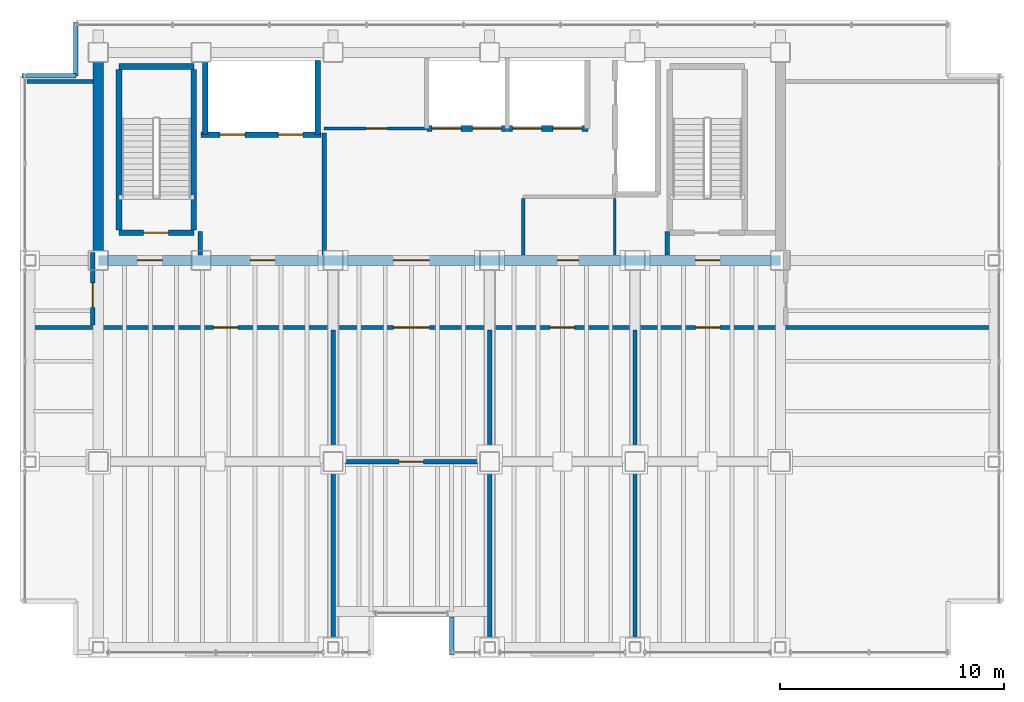
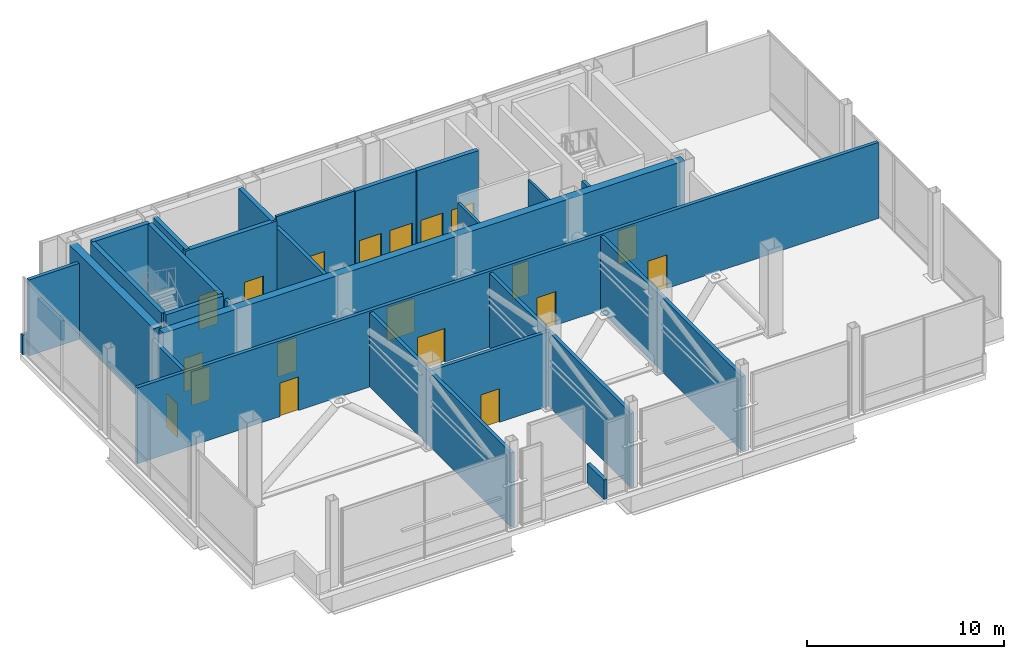
# One storey, part 16 of 18: 27 walls, 19 doors, 19 openings.
"""IFC4 building model written with IfcOpenShell, lengths in metres."""

from ifc_helpers import new_model, si_unit, direction, frame, frame_2d, origin, place, context, subcontext, project, spatial, rectangle, extrude, material, layer, layer_set, type_object, element, fill, save


model = new_model("IFC4")

# Units and contexts
model_context = context("Model", 3, precision=1e-05, world=origin(), true_north=direction((0.0, 1.0)))
body_context = subcontext(model_context, "Body", "Model", "MODEL_VIEW")
ifc_project = project(units=[si_unit("LENGTHUNIT", "METRE"), si_unit("AREAUNIT", "SQUARE_METRE"), si_unit("VOLUMEUNIT", "CUBIC_METRE"), si_unit("PLANEANGLEUNIT", "RADIAN"), si_unit("MASSUNIT", "GRAM", prefix="KILO")], contexts=[model_context])

# Site, building, storey
site_placement = place(None, origin())
site = spatial("IfcSite", under=ifc_project, at=site_placement, CompositionType="ELEMENT")
building_placement = place(site_placement, origin())
building = spatial("IfcBuilding", under=site, at=building_placement, Name="Noeulbin Bourse Tower", CompositionType="ELEMENT")
storey_placement = place(building_placement, frame((0.0, 0.0, 200.699951171875)))
storey = spatial("IfcBuildingStorey", under=building, at=storey_placement, Name="L50", CompositionType="ELEMENT", Elevation=200.699951171875)

# Wall, openings, doors
ifc_material_1 = material(Name="Concrete C50/60", Category="concrete")
ifc_layer_1 = layer(ifc_material_1, 0.449951171875)
ifc_layer_set_1 = layer_set([ifc_layer_1], Name="Concrete C50/60")
wall_type_1 = type_object("IfcWallType", Name="WAL-CORE-450", PredefinedType="SHEAR", material=ifc_layer_set_1)
wall_1_placement = place(storey_placement, frame((13.5, 29.0, 0.0), z_axis=(0.0, 0.0, 1.0), x_axis=(1.0, 0.0, 0.0)))
wall_1 = element("IfcWall", 1, at=wall_1_placement, inside=storey, type_object=wall_type_1, Name="Rear Core South Shear Wall L50", PredefinedType="SHEAR", context=body_context, shape_type="SweptSolid", body=[
    extrude(rectangle(XDim=30.5, YDim=0.449951171875, at=frame_2d((15.25, 0.0))), origin(), (0.0, 0.0, 1.0), 5.219970703125),
])
opening_1_placement = place(wall_1_placement, frame((1.75, 0.0, 0.0)))
opening_1 = element("IfcOpeningElement", 2, at=opening_1_placement, cuts=wall_1, Name="Opening FD-11", PredefinedType="OPENING", context=body_context, shape_type="SweptSolid", body=[
    extrude(rectangle(XDim=1.10009765625, YDim=2.080078125, at=frame_2d((0.550048828125, 1.0400390625))), frame((0.0, 0.23486328125, 0.0), z_axis=(0.0, -1.0, 0.0), x_axis=(1.0, 0.0, 0.0)), (0.0, 0.0, 1.0), 0.469970703125),
])
opening_2_placement = place(wall_1_placement, frame((26.699951171875, 0.0, 0.0)))
opening_2 = element("IfcOpeningElement", 3, at=opening_2_placement, cuts=wall_1, Name="Opening FD-11", PredefinedType="OPENING", context=body_context, shape_type="SweptSolid", body=[
    extrude(rectangle(XDim=1.10009765625, YDim=2.080078125, at=frame_2d((0.550048828125, 1.0400390625))), frame((0.0, 0.23486328125, 0.0), z_axis=(0.0, -1.0, 0.0), x_axis=(1.0, 0.0, 0.0)), (0.0, 0.0, 1.0), 0.469970703125),
])
opening_3_placement = place(wall_1_placement, frame((6.800048828125, 0.0, 0.0)))
opening_3 = element("IfcOpeningElement", 4, at=opening_3_placement, cuts=wall_1, Name="Opening FD-11", PredefinedType="OPENING", context=body_context, shape_type="SweptSolid", body=[
    extrude(rectangle(XDim=1.10009765625, YDim=2.080078125, at=frame_2d((0.550048828125, 1.0400390625))), frame((0.0, 0.23486328125, 0.0), z_axis=(0.0, -1.0, 0.0), x_axis=(1.0, 0.0, 0.0)), (0.0, 0.0, 1.0), 0.469970703125),
])
opening_4_placement = place(wall_1_placement, frame((13.199951171875, 0.0, 0.0)))
opening_4 = element("IfcOpeningElement", 5, at=opening_4_placement, cuts=wall_1, Name="Opening ID-16", PredefinedType="OPENING", context=body_context, shape_type="SweptSolid", body=[
    extrude(rectangle(XDim=1.60009765625, YDim=2.080078125, at=frame_2d((0.800048828125, 1.0400390625))), frame((0.0, 0.23486328125, 0.0), z_axis=(0.0, -1.0, 0.0), x_axis=(1.0, 0.0, 0.0)), (0.0, 0.0, 1.0), 0.469970703125),
])
opening_5_placement = place(wall_1_placement, frame((20.52490234375, 0.0, 0.0)))
opening_5 = element("IfcOpeningElement", 6, at=opening_5_placement, cuts=wall_1, Name="Opening ID-09", PredefinedType="OPENING", context=body_context, shape_type="SweptSolid", body=[
    extrude(rectangle(XDim=0.949951171875, YDim=2.080078125, at=frame_2d((0.47509765625, 1.0400390625))), frame((0.0, 0.23486328125, 0.0), z_axis=(0.0, -1.0, 0.0), x_axis=(1.0, 0.0, 0.0)), (0.0, 0.0, 1.0), 0.469970703125),
])
ifc_material_2 = material(Name="Acoustic Glazed Aluminium", Category="aluminium")
door_type_1 = type_object("IfcDoorType", Name="DR-DBL-1600", OperationType="DOUBLE_DOOR_SINGLE_SWING", PredefinedType="DOOR", material=ifc_material_2)
door_1_placement = place(opening_4_placement, origin())
door_1 = element("IfcDoor", 7, at=door_1_placement, inside=storey, type_object=door_type_1, Name="Passenger Lift Lobby Portal L50", OperationType="DOUBLE_DOOR_SINGLE_SWING", OverallHeight=2.080078125, OverallWidth=1.60009765625, PredefinedType="DOOR", context=body_context, shape_type="SweptSolid", body=[
    extrude(rectangle(XDim=1.60009765625, YDim=2.080078125, at=frame_2d((0.800048828125, 1.0400390625))), frame((0.0, 0.02490234375, 0.0), z_axis=(0.0, -1.0, 0.0), x_axis=(1.0, 0.0, 0.0)), (0.0, 0.0, 1.0), 0.050048828125),
])
fill(opening_4, door_1)
ifc_material_3 = material(Name="Fire-Rated Insulated Steel", Category="steel")
door_type_2 = type_object("IfcDoorType", Name="DR-FD60-1100", OperationType="SINGLE_SWING_LEFT", PredefinedType="DOOR", material=ifc_material_3)
door_2_placement = place(opening_1_placement, origin())
door_2 = element("IfcDoor", 8, at=door_2_placement, inside=storey, type_object=door_type_2, Name="West Stair Lobby Door L50", OperationType="SINGLE_SWING_LEFT", OverallHeight=2.080078125, OverallWidth=1.10009765625, PredefinedType="DOOR", context=body_context, shape_type="SweptSolid", body=[
    extrude(rectangle(XDim=1.10009765625, YDim=2.080078125, at=frame_2d((0.550048828125, 1.0400390625))), frame((0.0, 0.02490234375, 0.0), z_axis=(0.0, -1.0, 0.0), x_axis=(1.0, 0.0, 0.0)), (0.0, 0.0, 1.0), 0.050048828125),
])
fill(opening_1, door_2)
door_3_placement = place(opening_2_placement, origin())
door_3 = element("IfcDoor", 9, at=door_3_placement, inside=storey, type_object=door_type_2, Name="East Stair Lobby Door L50", OperationType="SINGLE_SWING_RIGHT", OverallHeight=2.080078125, OverallWidth=1.10009765625, PredefinedType="DOOR", context=body_context, shape_type="SweptSolid", body=[
    extrude(rectangle(XDim=1.10009765625, YDim=2.080078125, at=frame_2d((0.550048828125, 1.0400390625))), frame((0.0, 0.02490234375, 0.0), z_axis=(0.0, -1.0, 0.0), x_axis=(1.0, 0.0, 0.0)), (0.0, 0.0, 1.0), 0.050048828125),
])
fill(opening_2, door_3)
door_4_placement = place(opening_3_placement, origin())
door_4 = element("IfcDoor", 10, at=door_4_placement, inside=storey, type_object=door_type_2, Name="Firefighting Lobby Door L50", OperationType="SINGLE_SWING_LEFT", OverallHeight=2.080078125, OverallWidth=1.10009765625, PredefinedType="DOOR", context=body_context, shape_type="SweptSolid", body=[
    extrude(rectangle(XDim=1.10009765625, YDim=2.080078125, at=frame_2d((0.550048828125, 1.0400390625))), frame((0.0, 0.02490234375, 0.0), z_axis=(0.0, -1.0, 0.0), x_axis=(1.0, 0.0, 0.0)), (0.0, 0.0, 1.0), 0.050048828125),
])
fill(opening_3, door_4)
ifc_material_4 = material(Name="Acoustic Solid-Core Timber", Category="wood")
door_type_3 = type_object("IfcDoorType", Name="DR-SINGLE-950", OperationType="SINGLE_SWING_LEFT", PredefinedType="DOOR", material=ifc_material_4)
door_5_placement = place(opening_5_placement, origin())
door_5 = element("IfcDoor", 11, at=door_5_placement, inside=storey, type_object=door_type_3, Name="Interior Door L50-06", OperationType="SINGLE_SWING_RIGHT", OverallHeight=2.080078125, OverallWidth=0.949951171875, PredefinedType="DOOR", context=body_context, shape_type="SweptSolid", body=[
    extrude(rectangle(XDim=0.949951171875, YDim=2.080078125, at=frame_2d((0.47509765625, 1.0400390625))), frame((0.0, 0.02490234375, 0.0), z_axis=(0.0, -1.0, 0.0), x_axis=(1.0, 0.0, 0.0)), (0.0, 0.0, 1.0), 0.050048828125),
])
fill(opening_5, door_5)

# Wall
wall_2_placement = place(storey_placement, frame((13.5, 29.35009765625, 0.0), z_axis=(0.0, 0.0, 1.0), x_axis=(0.0, 1.0, 0.0)))
element("IfcWall", 12, at=wall_2_placement, inside=storey, type_object=wall_type_1, Name="Rear Core West Shear Wall L50", PredefinedType="SHEAR", context=body_context, shape_type="SweptSolid", body=[
    extrude(rectangle(XDim=8.599853515625, YDim=0.449951171875, at=frame_2d((4.2998046875, 0.0))), origin(), (0.0, 0.0, 1.0), 5.219970703125),
])

# Wall, openings, doors
ifc_material_5 = material(Name="Concrete C40/50", Category="concrete")
ifc_layer_2 = layer(ifc_material_5, 0.199951171875)
ifc_layer_set_2 = layer_set([ifc_layer_2], Name="Concrete C40/50")
wall_type_2 = type_object("IfcWallType", Name="WAL-FIRE-200", PredefinedType="STANDARD", material=ifc_layer_set_2)
wall_3_placement = place(storey_placement, frame((10.31005859375, 26.0, 0.0), z_axis=(0.0, 0.0, 1.0), x_axis=(1.0, 0.0, 0.0)))
wall_3 = element("IfcWall", 13, at=wall_3_placement, inside=storey, type_object=wall_type_2, Name="Interior Partition Wall L50-04", PredefinedType="STANDARD", context=body_context, shape_type="SweptSolid", body=[
    extrude(rectangle(XDim=43.3798828125, YDim=0.199951171875, at=frame_2d((21.68994140625, 0.0))), origin(), (0.0, 0.0, 1.0), 4.699951171875),
])
opening_6_placement = place(wall_3_placement, frame((8.340087890625, 0.0, 0.0)))
opening_6 = element("IfcOpeningElement", 14, at=opening_6_placement, cuts=wall_3, Name="Opening FD-11", PredefinedType="OPENING", context=body_context, shape_type="SweptSolid", body=[
    extrude(rectangle(XDim=1.10009765625, YDim=2.080078125, at=frame_2d((0.550048828125, 1.0400390625))), frame((0.0, 0.10986328125, 0.0), z_axis=(0.0, -1.0, 0.0), x_axis=(1.0, 0.0, 0.0)), (0.0, 0.0, 1.0), 0.219970703125),
])
opening_7_placement = place(wall_3_placement, frame((16.389892578125, 0.0, 0.0)))
opening_7 = element("IfcOpeningElement", 15, at=opening_7_placement, cuts=wall_3, Name="Opening ID-16", PredefinedType="OPENING", context=body_context, shape_type="SweptSolid", body=[
    extrude(rectangle(XDim=1.60009765625, YDim=2.080078125, at=frame_2d((0.800048828125, 1.0400390625))), frame((0.0, 0.10986328125, 0.0), z_axis=(0.0, -1.0, 0.0), x_axis=(1.0, 0.0, 0.0)), (0.0, 0.0, 1.0), 0.219970703125),
])
opening_8_placement = place(wall_3_placement, frame((23.389892578125, 0.0, 0.0)))
opening_8 = element("IfcOpeningElement", 16, at=opening_8_placement, cuts=wall_3, Name="Opening FD-11", PredefinedType="OPENING", context=body_context, shape_type="SweptSolid", body=[
    extrude(rectangle(XDim=1.10009765625, YDim=2.080078125, at=frame_2d((0.550048828125, 1.0400390625))), frame((0.0, 0.10986328125, 0.0), z_axis=(0.0, -1.0, 0.0), x_axis=(1.0, 0.0, 0.0)), (0.0, 0.0, 1.0), 0.219970703125),
])
opening_9_placement = place(wall_3_placement, frame((29.889892578125, 0.0, 0.0)))
opening_9 = element("IfcOpeningElement", 17, at=opening_9_placement, cuts=wall_3, Name="Opening FD-11", PredefinedType="OPENING", context=body_context, shape_type="SweptSolid", body=[
    extrude(rectangle(XDim=1.10009765625, YDim=2.080078125, at=frame_2d((0.550048828125, 1.0400390625))), frame((0.0, 0.10986328125, 0.0), z_axis=(0.0, -1.0, 0.0), x_axis=(1.0, 0.0, 0.0)), (0.0, 0.0, 1.0), 0.219970703125),
])
door_6_placement = place(opening_7_placement, origin())
door_6 = element("IfcDoor", 18, at=door_6_placement, inside=storey, type_object=door_type_1, Name="Interior Door L50-10", OperationType="DOUBLE_DOOR_SINGLE_SWING", OverallHeight=2.080078125, OverallWidth=1.60009765625, PredefinedType="DOOR", context=body_context, shape_type="SweptSolid", body=[
    extrude(rectangle(XDim=1.60009765625, YDim=2.080078125, at=frame_2d((0.800048828125, 1.0400390625))), frame((0.0, 0.02490234375, 0.0), z_axis=(0.0, -1.0, 0.0), x_axis=(1.0, 0.0, 0.0)), (0.0, 0.0, 1.0), 0.050048828125),
])
fill(opening_7, door_6)
door_7_placement = place(opening_6_placement, origin())
door_7 = element("IfcDoor", 19, at=door_7_placement, inside=storey, type_object=door_type_2, Name="Interior Door L50-09", OperationType="SINGLE_SWING_LEFT", OverallHeight=2.080078125, OverallWidth=1.10009765625, PredefinedType="DOOR", context=body_context, shape_type="SweptSolid", body=[
    extrude(rectangle(XDim=1.10009765625, YDim=2.080078125, at=frame_2d((0.550048828125, 1.0400390625))), frame((0.0, 0.02490234375, 0.0), z_axis=(0.0, -1.0, 0.0), x_axis=(1.0, 0.0, 0.0)), (0.0, 0.0, 1.0), 0.050048828125),
])
fill(opening_6, door_7)
door_8_placement = place(opening_8_placement, origin())
door_8 = element("IfcDoor", 20, at=door_8_placement, inside=storey, type_object=door_type_2, Name="Interior Door L50-11", OperationType="SINGLE_SWING_LEFT", OverallHeight=2.080078125, OverallWidth=1.10009765625, PredefinedType="DOOR", context=body_context, shape_type="SweptSolid", body=[
    extrude(rectangle(XDim=1.10009765625, YDim=2.080078125, at=frame_2d((0.550048828125, 1.0400390625))), frame((0.0, 0.02490234375, 0.0), z_axis=(0.0, -1.0, 0.0), x_axis=(1.0, 0.0, 0.0)), (0.0, 0.0, 1.0), 0.050048828125),
])
fill(opening_8, door_8)
door_9_placement = place(opening_9_placement, origin())
door_9 = element("IfcDoor", 21, at=door_9_placement, inside=storey, type_object=door_type_2, Name="Interior Door L50-12", OperationType="SINGLE_SWING_RIGHT", OverallHeight=2.080078125, OverallWidth=1.10009765625, PredefinedType="DOOR", context=body_context, shape_type="SweptSolid", body=[
    extrude(rectangle(XDim=1.10009765625, YDim=2.080078125, at=frame_2d((0.550048828125, 1.0400390625))), frame((0.0, 0.02490234375, 0.0), z_axis=(0.0, -1.0, 0.0), x_axis=(1.0, 0.0, 0.0)), (0.0, 0.0, 1.0), 0.050048828125),
])
fill(opening_9, door_9)

# Wall
wall_4_placement = place(storey_placement, frame((10.31005859375, 37.0, 0.0), z_axis=(0.0, 0.0, 1.0), x_axis=(1.0, 0.0, 0.0)))
element("IfcWall", 22, at=wall_4_placement, inside=storey, type_object=wall_type_2, Name="Interior Partition Wall L50-05", PredefinedType="STANDARD", context=body_context, shape_type="SweptSolid", body=[
    extrude(rectangle(XDim=2.954833984375, YDim=0.199951171875, at=frame_2d((1.4775390625, 0.0))), origin(), (0.0, 0.0, 1.0), 4.699951171875),
])

# Wall, opening, door
wall_5_placement = place(storey_placement, frame((24.0, 20.0, 0.0), z_axis=(0.0, 0.0, 1.0), x_axis=(1.0, 0.0, 0.0)))
wall_5 = element("IfcWall", 23, at=wall_5_placement, inside=storey, type_object=wall_type_2, Name="Interior Partition Wall L50-07", PredefinedType="STANDARD", context=body_context, shape_type="SweptSolid", body=[
    extrude(rectangle(XDim=7.0, YDim=0.199951171875, at=frame_2d((3.5, 0.0))), origin(), (0.0, 0.0, 1.0), 4.60009765625),
])
opening_10_placement = place(wall_5_placement, frame((2.949951171875, 0.0, 0.0)))
opening_10 = element("IfcOpeningElement", 24, at=opening_10_placement, cuts=wall_5, Name="Opening FD-11", PredefinedType="OPENING", context=body_context, shape_type="SweptSolid", body=[
    extrude(rectangle(XDim=1.10009765625, YDim=2.080078125, at=frame_2d((0.550048828125, 1.0400390625))), frame((0.0, 0.10986328125, 0.0), z_axis=(0.0, -1.0, 0.0), x_axis=(1.0, 0.0, 0.0)), (0.0, 0.0, 1.0), 0.219970703125),
])
door_10_placement = place(opening_10_placement, origin())
door_10 = element("IfcDoor", 25, at=door_10_placement, inside=storey, type_object=door_type_2, Name="Interior Door L50-13", OperationType="SINGLE_SWING_LEFT", OverallHeight=2.080078125, OverallWidth=1.10009765625, PredefinedType="DOOR", context=body_context, shape_type="SweptSolid", body=[
    extrude(rectangle(XDim=1.10009765625, YDim=2.080078125, at=frame_2d((0.550048828125, 1.0400390625))), frame((0.0, 0.02490234375, 0.0), z_axis=(0.0, -1.0, 0.0), x_axis=(1.0, 0.0, 0.0)), (0.0, 0.0, 1.0), 0.050048828125),
])
fill(opening_10, door_10)

# Walls
for number, where, z_axis, x_axis, name in (
    (26, (18.050048828125, 29.235107421875, 0.0), (0.0, 0.0, 1.0), (0.0, 1.0, 0.0), "Interior Partition Wall L50-08"),
    (27, (38.949951171875, 29.235107421875, 0.0), (0.0, 0.0, 1.0), (0.0, 1.0, 0.0), "Interior Partition Wall L50-09"),
):
    element("IfcWall", number, at=place(storey_placement, frame(where, z_axis=z_axis, x_axis=x_axis)), inside=storey, type_object=wall_type_2, Name=name, PredefinedType="STANDARD", context=body_context, shape_type="SweptSolid", body=[
        extrude(rectangle(XDim=1.06494140625, YDim=0.199951171875, at=frame_2d((0.532470703125, 0.0))), origin(), (0.0, 0.0, 1.0), 4.85009765625),
    ])
wall_6_placement = place(storey_placement, frame((23.60009765625, 29.235107421875, 0.0), z_axis=(0.0, 0.0, 1.0), x_axis=(0.0, 1.0, 0.0)))
element("IfcWall", 28, at=wall_6_placement, inside=storey, type_object=wall_type_2, Name="Interior Partition Wall L50-10", PredefinedType="STANDARD", context=body_context, shape_type="SweptSolid", body=[
    extrude(rectangle(XDim=5.46484375, YDim=0.199951171875, at=frame_2d((2.732421875, 0.0))), origin(), (0.0, 0.0, 1.0), 4.699951171875),
])

# Wall, opening, door
wall_7_placement = place(storey_placement, frame((13.25, 26.110107421875, 0.0), z_axis=(0.0, 0.0, 1.0), x_axis=(0.0, 1.0, 0.0)))
wall_7 = element("IfcWall", 29, at=wall_7_placement, inside=storey, type_object=wall_type_2, Name="Interior Partition Wall L50-13", PredefinedType="STANDARD", context=body_context, shape_type="SweptSolid", body=[
    extrude(rectangle(XDim=3.239990234375, YDim=0.199951171875, at=frame_2d((1.6201171875, 0.0))), origin(), (0.0, 0.0, 1.0), 4.60009765625),
])
opening_11_placement = place(wall_7_placement, frame((0.7900390625, 0.0, 0.0)))
opening_11 = element("IfcOpeningElement", 30, at=opening_11_placement, cuts=wall_7, Name="Opening FD-11", PredefinedType="OPENING", context=body_context, shape_type="SweptSolid", body=[
    extrude(rectangle(XDim=1.10009765625, YDim=2.080078125, at=frame_2d((0.550048828125, 1.0400390625))), frame((0.0, 0.10986328125, 0.0), z_axis=(0.0, -1.0, 0.0), x_axis=(1.0, 0.0, 0.0)), (0.0, 0.0, 1.0), 0.219970703125),
])
door_11_placement = place(opening_11_placement, origin())
door_11 = element("IfcDoor", 31, at=door_11_placement, inside=storey, type_object=door_type_2, Name="Interior Door L50-07", OperationType="SINGLE_SWING_LEFT", OverallHeight=2.080078125, OverallWidth=1.10009765625, PredefinedType="DOOR", context=body_context, shape_type="SweptSolid", body=[
    extrude(rectangle(XDim=1.10009765625, YDim=2.080078125, at=frame_2d((0.550048828125, 1.0400390625))), frame((0.0, 0.02490234375, 0.0), z_axis=(0.0, -1.0, 0.0), x_axis=(1.0, 0.0, 0.0)), (0.0, 0.0, 1.0), 0.050048828125),
])
fill(opening_11, door_11)

# Walls
for number, where, z_axis, x_axis, name in (
    (32, (24.0, 11.56005859375, 0.0), (0.0, 0.0, 1.0), (0.0, 1.0, 0.0), "Interior Partition Wall L50-15"),
    (33, (31.0, 11.56005859375, 0.0), (0.0, 0.0, 1.0), (0.0, 1.0, 0.0), "Interior Partition Wall L50-16"),
    (34, (37.5, 11.56005859375, 0.0), (0.0, 0.0, 1.0), (0.0, 1.0, 0.0), "Interior Partition Wall L50-17"),
):
    element("IfcWall", number, at=place(storey_placement, frame(where, z_axis=z_axis, x_axis=x_axis)), inside=storey, type_object=wall_type_2, Name=name, PredefinedType="STANDARD", context=body_context, shape_type="SweptSolid", body=[
        extrude(rectangle(XDim=14.329833984375, YDim=0.199951171875, at=frame_2d((7.1650390625, 0.0))), origin(), (0.0, 0.0, 1.0), 4.60009765625),
    ])
ifc_layer_3 = layer(ifc_material_5, 0.199951171875)
ifc_layer_set_3 = layer_set([ifc_layer_3], Name="Concrete C40/50")
wall_type_3 = type_object("IfcWallType", Name="WAL-PAR-200", PredefinedType="PARAPET", material=ifc_layer_set_3)
for number, where, z_axis, x_axis, name in (
    (35, (10.10009765625, 37.25, 0.0), (0.0, 0.0, 1.0), (1.0, 0.0, 0.0), "Corner Notch Parapet L50-NW1"),
    (36, (12.5, 37.25, 0.0), (0.0, 0.0, 1.0), (0.0, 1.0, 0.0), "Corner Notch Parapet L50-NW2"),
):
    element("IfcWall", number, at=place(storey_placement, frame(where, z_axis=z_axis, x_axis=x_axis)), inside=storey, type_object=wall_type_3, Name=name, PredefinedType="PARAPET", context=body_context, shape_type="SweptSolid", body=[
        extrude(rectangle(XDim=2.39990234375, YDim=0.199951171875, at=frame_2d((1.199951171875, 0.0))), origin(), (0.0, 0.0, 1.0), 1.199951171875),
    ])
wall_8_placement = place(storey_placement, frame((29.300048828125, 13.050048828125, 0.0), z_axis=(0.0, 0.0, 1.0), x_axis=(0.0, -1.0, 0.0)))
element("IfcWall", 37, at=wall_8_placement, inside=storey, type_object=wall_type_3, Name="Sky-Garden Recess Parapet L50-E", PredefinedType="PARAPET", context=body_context, shape_type="SweptSolid", body=[
    extrude(rectangle(XDim=1.699951171875, YDim=0.199951171875, at=frame_2d((0.85009765625, 0.0))), origin(), (0.0, 0.0, 1.0), 1.199951171875),
])
ifc_material_6 = material(Name="Steel Stud Gypsum Partition", Category="steel")
ifc_layer_4 = layer(ifc_material_6, 0.1201171875)
ifc_layer_set_4 = layer_set([ifc_layer_4], Name="Steel Stud Gypsum Partition")
wall_type_4 = type_object("IfcWallType", Name="WAL-PRT-120", PredefinedType="PARTITIONING", material=ifc_layer_set_4)
wall_9_placement = place(storey_placement, frame((36.60009765625, 29.235107421875, 0.0), z_axis=(0.0, 0.0, 1.0), x_axis=(0.0, 1.0, 0.0)))
element("IfcWall", 38, at=wall_9_placement, inside=storey, type_object=wall_type_4, Name="Interior Partition Wall L50-12", PredefinedType="PARTITIONING", context=body_context, shape_type="SweptSolid", body=[
    extrude(rectangle(XDim=2.52978515625, YDim=0.1201171875, at=frame_2d((1.264892578125, 0.0))), origin(), (0.0, 0.0, 1.0), 4.85009765625),
])

# Wall, opening, door
ifc_material_7 = material(Name="Steel Stud Acoustic Gypsum Board", Category="steel")
ifc_layer_5 = layer(ifc_material_7, 0.14990234375)
ifc_layer_set_5 = layer_set([ifc_layer_5], Name="Steel Stud Acoustic Gypsum Board")
wall_type_5 = type_object("IfcWallType", Name="WAL-PRT-150", PredefinedType="PARTITIONING", material=ifc_layer_set_5)
wall_10_placement = place(storey_placement, frame((23.60009765625, 34.89990234375, 0.0), z_axis=(0.0, 0.0, 1.0), x_axis=(1.0, 0.0, 0.0)))
wall_10 = element("IfcWall", 39, at=wall_10_placement, inside=storey, type_object=wall_type_5, Name="Interior Partition Wall L50-02", PredefinedType="PARTITIONING", context=body_context, shape_type="SweptSolid", body=[
    extrude(rectangle(XDim=4.579833984375, YDim=0.14990234375, at=frame_2d((2.2900390625, 0.0))), origin(), (0.0, 0.0, 1.0), 5.219970703125),
])
opening_12_placement = place(wall_10_placement, frame((1.875, 0.0, 0.0)))
opening_12 = element("IfcOpeningElement", 40, at=opening_12_placement, cuts=wall_10, Name="Opening ID-09", PredefinedType="OPENING", context=body_context, shape_type="SweptSolid", body=[
    extrude(rectangle(XDim=0.949951171875, YDim=2.080078125, at=frame_2d((0.47509765625, 1.0400390625))), frame((0.0, 0.0849609375, 0.0), z_axis=(0.0, -1.0, 0.0), x_axis=(1.0, 0.0, 0.0)), (0.0, 0.0, 1.0), 0.169921875),
])
door_12_placement = place(opening_12_placement, origin())
door_12 = element("IfcDoor", 41, at=door_12_placement, inside=storey, type_object=door_type_3, Name="Archive Room Door L50", OperationType="SINGLE_SWING_LEFT", OverallHeight=2.080078125, OverallWidth=0.949951171875, PredefinedType="DOOR", context=body_context, shape_type="SweptSolid", body=[
    extrude(rectangle(XDim=0.949951171875, YDim=2.080078125, at=frame_2d((0.47509765625, 1.0400390625))), frame((0.0, 0.02490234375, 0.0), z_axis=(0.0, -1.0, 0.0), x_axis=(1.0, 0.0, 0.0)), (0.0, 0.0, 1.0), 0.050048828125),
])
fill(opening_12, door_12)

# Wall
wall_11_placement = place(storey_placement, frame((32.5, 29.235107421875, 0.0), z_axis=(0.0, 0.0, 1.0), x_axis=(0.0, 1.0, 0.0)))
element("IfcWall", 42, at=wall_11_placement, inside=storey, type_object=wall_type_5, Name="Interior Partition Wall L50-11", PredefinedType="PARTITIONING", context=body_context, shape_type="SweptSolid", body=[
    extrude(rectangle(XDim=2.52978515625, YDim=0.14990234375, at=frame_2d((1.264892578125, 0.0))), origin(), (0.0, 0.0, 1.0), 4.85009765625),
])

# Wall, opening, door
ifc_layer_6 = layer(ifc_material_5, 0.25)
ifc_layer_set_6 = layer_set([ifc_layer_6], Name="Concrete C40/50")
wall_type_6 = type_object("IfcWallType", Name="WAL-SHFT-250", PredefinedType="STANDARD", material=ifc_layer_set_6)
wall_12_placement = place(storey_placement, frame((14.429931640625, 30.235107421875, 0.0), z_axis=(0.0, 0.0, 1.0), x_axis=(1.0, 0.0, 0.0)))
wall_12 = element("IfcWall", 43, at=wall_12_placement, inside=storey, type_object=wall_type_6, Name="Stair ST-1 South Shaft Wall L50", PredefinedType="STANDARD", context=body_context, shape_type="SweptSolid", body=[
    extrude(rectangle(XDim=3.340087890625, YDim=0.25, at=frame_2d((1.669921875, 0.0))), origin(), (0.0, 0.0, 1.0), 5.219970703125),
])
opening_13_placement = place(wall_12_placement, frame((1.10009765625, 0.0, 0.0)))
opening_13 = element("IfcOpeningElement", 44, at=opening_13_placement, cuts=wall_12, Name="Opening FD-11", PredefinedType="OPENING", context=body_context, shape_type="SweptSolid", body=[
    extrude(rectangle(XDim=1.10009765625, YDim=2.080078125, at=frame_2d((0.550048828125, 1.0400390625))), frame((0.0, 0.135009765625, 0.0), z_axis=(0.0, -1.0, 0.0), x_axis=(1.0, 0.0, 0.0)), (0.0, 0.0, 1.0), 0.27001953125),
])
door_13_placement = place(opening_13_placement, origin())
door_13 = element("IfcDoor", 45, at=door_13_placement, inside=storey, type_object=door_type_2, Name="Protected Stair Entry Door ST1-L50", OperationType="SINGLE_SWING_LEFT", OverallHeight=2.080078125, OverallWidth=1.10009765625, PredefinedType="DOOR", context=body_context, shape_type="SweptSolid", body=[
    extrude(rectangle(XDim=1.10009765625, YDim=2.080078125, at=frame_2d((0.550048828125, 1.0400390625))), frame((0.0, 0.02490234375, 0.0), z_axis=(0.0, -1.0, 0.0), x_axis=(1.0, 0.0, 0.0)), (0.0, 0.0, 1.0), 0.050048828125),
])
fill(opening_13, door_13)

# Walls
wall_13_placement = place(storey_placement, frame((14.429931640625, 37.6689453125, 0.0), z_axis=(0.0, 0.0, 1.0), x_axis=(1.0, 0.0, 0.0)))
element("IfcWall", 46, at=wall_13_placement, inside=storey, type_object=wall_type_6, Name="Stair ST-1 North Shaft Wall L50", PredefinedType="STANDARD", context=body_context, shape_type="SweptSolid", body=[
    extrude(rectangle(XDim=3.340087890625, YDim=0.25, at=frame_2d((1.669921875, 0.0))), origin(), (0.0, 0.0, 1.0), 5.219970703125),
])
for number, where, z_axis, x_axis, name in (
    (47, (14.425048828125, 30.360107421875, 0.0), (0.0, 0.0, 1.0), (0.0, 1.0, 0.0), "Stair ST-1 West Shaft Wall L50"),
    (48, (17.77490234375, 30.360107421875, 0.0), (0.0, 0.0, 1.0), (0.0, 1.0, 0.0), "Stair ST-1 East Shaft Wall L50"),
):
    element("IfcWall", number, at=place(storey_placement, frame(where, z_axis=z_axis, x_axis=x_axis)), inside=storey, type_object=wall_type_6, Name=name, PredefinedType="STANDARD", context=body_context, shape_type="SweptSolid", body=[
        extrude(rectangle(XDim=7.183837890625, YDim=0.25, at=frame_2d((3.591796875, 0.0))), origin(), (0.0, 0.0, 1.0), 5.219970703125),
    ])

# Wall, openings, doors
wall_14_placement = place(storey_placement, frame((18.10009765625, 34.6201171875, 0.0), z_axis=(0.0, 0.0, 1.0), x_axis=(1.0, 0.0, 0.0)))
wall_14 = element("IfcWall", 49, at=wall_14_placement, inside=storey, type_object=wall_type_6, Name="Firefighting Lift Shaft Front L50", PredefinedType="STANDARD", context=body_context, shape_type="SweptSolid", body=[
    extrude(rectangle(XDim=5.349853515625, YDim=0.25, at=frame_2d((2.6748046875, 0.0))), origin(), (0.0, 0.0, 1.0), 5.219970703125),
])
opening_14_placement = place(wall_14_placement, frame((0.85009765625, 0.0, 0.0)))
opening_14 = element("IfcOpeningElement", 50, at=opening_14_placement, cuts=wall_14, Name="Opening LD-11", PredefinedType="OPENING", context=body_context, shape_type="SweptSolid", body=[
    extrude(rectangle(XDim=1.10009765625, YDim=2.080078125, at=frame_2d((0.550048828125, 1.0400390625))), frame((0.0, 0.135009765625, 0.0), z_axis=(0.0, -1.0, 0.0), x_axis=(1.0, 0.0, 0.0)), (0.0, 0.0, 1.0), 0.27001953125),
])
opening_15_placement = place(wall_14_placement, frame((3.449951171875, 0.0, 0.0)))
opening_15 = element("IfcOpeningElement", 51, at=opening_15_placement, cuts=wall_14, Name="Opening LD-11", PredefinedType="OPENING", context=body_context, shape_type="SweptSolid", body=[
    extrude(rectangle(XDim=1.10009765625, YDim=2.080078125, at=frame_2d((0.550048828125, 1.0400390625))), frame((0.0, 0.135009765625, 0.0), z_axis=(0.0, -1.0, 0.0), x_axis=(1.0, 0.0, 0.0)), (0.0, 0.0, 1.0), 0.27001953125),
])
ifc_material_8 = material(Name="Brushed Stainless Steel 316", Category="steel")
door_type_4 = type_object("IfcDoorType", Name="DR-LIFT-1100", OperationType="SLIDING_TO_LEFT", PredefinedType="DOOR", material=ifc_material_8)
door_14_placement = place(opening_14_placement, origin())
door_14 = element("IfcDoor", 52, at=door_14_placement, inside=storey, type_object=door_type_4, Name="Lift Landing Door LD-FL-01-L50", OperationType="SLIDING_TO_LEFT", OverallHeight=2.080078125, OverallWidth=1.10009765625, PredefinedType="DOOR", context=body_context, shape_type="SweptSolid", body=[
    extrude(rectangle(XDim=1.10009765625, YDim=2.080078125, at=frame_2d((0.550048828125, 1.0400390625))), frame((0.0, 0.02490234375, 0.0), z_axis=(0.0, -1.0, 0.0), x_axis=(1.0, 0.0, 0.0)), (0.0, 0.0, 1.0), 0.050048828125),
])
fill(opening_14, door_14)
door_15_placement = place(opening_15_placement, origin())
door_15 = element("IfcDoor", 53, at=door_15_placement, inside=storey, type_object=door_type_4, Name="Lift Landing Door LD-FL-02-L50", OperationType="SLIDING_TO_LEFT", OverallHeight=2.080078125, OverallWidth=1.10009765625, PredefinedType="DOOR", context=body_context, shape_type="SweptSolid", body=[
    extrude(rectangle(XDim=1.10009765625, YDim=2.080078125, at=frame_2d((0.550048828125, 1.0400390625))), frame((0.0, 0.02490234375, 0.0), z_axis=(0.0, -1.0, 0.0), x_axis=(1.0, 0.0, 0.0)), (0.0, 0.0, 1.0), 0.050048828125),
])
fill(opening_15, door_15)

# Walls
for number, where, z_axis, x_axis, name in (
    (54, (18.280029296875, 34.6201171875, 0.0), (0.0, 0.0, 1.0), (0.0, 1.0, 0.0), "Firefighting Lift West Shaft Wall L50"),
    (55, (23.320068359375, 34.6201171875, 0.0), (0.0, 0.0, 1.0), (0.0, 1.0, 0.0), "Firefighting Lift East Shaft Wall L50"),
):
    element("IfcWall", number, at=place(storey_placement, frame(where, z_axis=z_axis, x_axis=x_axis)), inside=storey, type_object=wall_type_6, Name=name, PredefinedType="STANDARD", context=body_context, shape_type="SweptSolid", body=[
        extrude(rectangle(XDim=3.329833984375, YDim=0.25, at=frame_2d((1.6650390625, 0.0))), origin(), (0.0, 0.0, 1.0), 5.219970703125),
    ])

# Wall, openings, doors
wall_15_placement = place(storey_placement, frame((28.199951171875, 34.89990234375, 0.0), z_axis=(0.0, 0.0, 1.0), x_axis=(1.0, 0.0, 0.0)))
wall_15 = element("IfcWall", 56, at=wall_15_placement, inside=storey, type_object=wall_type_6, Name="Mid-Rise Lift Bank Front L50", PredefinedType="STANDARD", context=body_context, shape_type="SweptSolid", body=[
    extrude(rectangle(XDim=3.550048828125, YDim=0.25, at=frame_2d((1.77490234375, 0.0))), origin(), (0.0, 0.0, 1.0), 5.219970703125),
])
opening_16_placement = place(wall_15_placement, frame((0.22998046875, 0.0, 0.0)))
opening_16 = element("IfcOpeningElement", 57, at=opening_16_placement, cuts=wall_15, Name="Opening LD-13", PredefinedType="OPENING", context=body_context, shape_type="SweptSolid", body=[
    extrude(rectangle(XDim=1.300048828125, YDim=2.080078125, at=frame_2d((0.64990234375, 1.0400390625))), frame((0.0, 0.135009765625, 0.0), z_axis=(0.0, -1.0, 0.0), x_axis=(1.0, 0.0, 0.0)), (0.0, 0.0, 1.0), 0.27001953125),
])
opening_17_placement = place(wall_15_placement, frame((2.030029296875, 0.0, 0.0)))
opening_17 = element("IfcOpeningElement", 58, at=opening_17_placement, cuts=wall_15, Name="Opening LD-13", PredefinedType="OPENING", context=body_context, shape_type="SweptSolid", body=[
    extrude(rectangle(XDim=1.300048828125, YDim=2.080078125, at=frame_2d((0.64990234375, 1.0400390625))), frame((0.0, 0.135009765625, 0.0), z_axis=(0.0, -1.0, 0.0), x_axis=(1.0, 0.0, 0.0)), (0.0, 0.0, 1.0), 0.27001953125),
])
door_type_5 = type_object("IfcDoorType", Name="DR-LIFT-1300", OperationType="DOUBLE_DOOR_SLIDING", PredefinedType="DOOR", material=ifc_material_8)
door_16_placement = place(opening_16_placement, origin())
door_16 = element("IfcDoor", 59, at=door_16_placement, inside=storey, type_object=door_type_5, Name="Lift Landing Door LD-PL-M1-L50", OperationType="DOUBLE_DOOR_SLIDING", OverallHeight=2.080078125, OverallWidth=1.300048828125, PredefinedType="DOOR", context=body_context, shape_type="SweptSolid", body=[
    extrude(rectangle(XDim=1.300048828125, YDim=2.080078125, at=frame_2d((0.64990234375, 1.0400390625))), frame((0.0, 0.02490234375, 0.0), z_axis=(0.0, -1.0, 0.0), x_axis=(1.0, 0.0, 0.0)), (0.0, 0.0, 1.0), 0.050048828125),
])
fill(opening_16, door_16)
door_17_placement = place(opening_17_placement, origin())
door_17 = element("IfcDoor", 60, at=door_17_placement, inside=storey, type_object=door_type_5, Name="Lift Landing Door LD-PL-M2-L50", OperationType="DOUBLE_DOOR_SLIDING", OverallHeight=2.080078125, OverallWidth=1.300048828125, PredefinedType="DOOR", context=body_context, shape_type="SweptSolid", body=[
    extrude(rectangle(XDim=1.300048828125, YDim=2.080078125, at=frame_2d((0.64990234375, 1.0400390625))), frame((0.0, 0.02490234375, 0.0), z_axis=(0.0, -1.0, 0.0), x_axis=(1.0, 0.0, 0.0)), (0.0, 0.0, 1.0), 0.050048828125),
])
fill(opening_17, door_17)

wall_16_placement = place(storey_placement, frame((31.800048828125, 34.89990234375, 0.0), z_axis=(0.0, 0.0, 1.0), x_axis=(1.0, 0.0, 0.0)))
wall_16 = element("IfcWall", 61, at=wall_16_placement, inside=storey, type_object=wall_type_6, Name="High-Rise Lift Bank Front L50", PredefinedType="STANDARD", context=body_context, shape_type="SweptSolid", body=[
    extrude(rectangle(XDim=3.599853515625, YDim=0.25, at=frame_2d((1.7998046875, 0.0))), origin(), (0.0, 0.0, 1.0), 5.219970703125),
])
opening_18_placement = place(wall_16_placement, frame((0.22998046875, 0.0, 0.0)))
opening_18 = element("IfcOpeningElement", 62, at=opening_18_placement, cuts=wall_16, Name="Opening LD-13", PredefinedType="OPENING", context=body_context, shape_type="SweptSolid", body=[
    extrude(rectangle(XDim=1.300048828125, YDim=2.080078125, at=frame_2d((0.64990234375, 1.0400390625))), frame((0.0, 0.135009765625, 0.0), z_axis=(0.0, -1.0, 0.0), x_axis=(1.0, 0.0, 0.0)), (0.0, 0.0, 1.0), 0.27001953125),
])
opening_19_placement = place(wall_16_placement, frame((2.030029296875, 0.0, 0.0)))
opening_19 = element("IfcOpeningElement", 63, at=opening_19_placement, cuts=wall_16, Name="Opening LD-13", PredefinedType="OPENING", context=body_context, shape_type="SweptSolid", body=[
    extrude(rectangle(XDim=1.300048828125, YDim=2.080078125, at=frame_2d((0.64990234375, 1.0400390625))), frame((0.0, 0.135009765625, 0.0), z_axis=(0.0, -1.0, 0.0), x_axis=(1.0, 0.0, 0.0)), (0.0, 0.0, 1.0), 0.27001953125),
])
door_18_placement = place(opening_18_placement, origin())
door_18 = element("IfcDoor", 64, at=door_18_placement, inside=storey, type_object=door_type_5, Name="Lift Landing Door LD-PL-H1-L50", OperationType="DOUBLE_DOOR_SLIDING", OverallHeight=2.080078125, OverallWidth=1.300048828125, PredefinedType="DOOR", context=body_context, shape_type="SweptSolid", body=[
    extrude(rectangle(XDim=1.300048828125, YDim=2.080078125, at=frame_2d((0.64990234375, 1.0400390625))), frame((0.0, 0.02490234375, 0.0), z_axis=(0.0, -1.0, 0.0), x_axis=(1.0, 0.0, 0.0)), (0.0, 0.0, 1.0), 0.050048828125),
])
fill(opening_18, door_18)
door_19_placement = place(opening_19_placement, origin())
door_19 = element("IfcDoor", 65, at=door_19_placement, inside=storey, type_object=door_type_5, Name="Lift Landing Door LD-PL-H2-L50", OperationType="DOUBLE_DOOR_SLIDING", OverallHeight=2.080078125, OverallWidth=1.300048828125, PredefinedType="DOOR", context=body_context, shape_type="SweptSolid", body=[
    extrude(rectangle(XDim=1.300048828125, YDim=2.080078125, at=frame_2d((0.64990234375, 1.0400390625))), frame((0.0, 0.02490234375, 0.0), z_axis=(0.0, -1.0, 0.0), x_axis=(1.0, 0.0, 0.0)), (0.0, 0.0, 1.0), 0.050048828125),
])
fill(opening_19, door_19)

save(model, "model.ifc")
